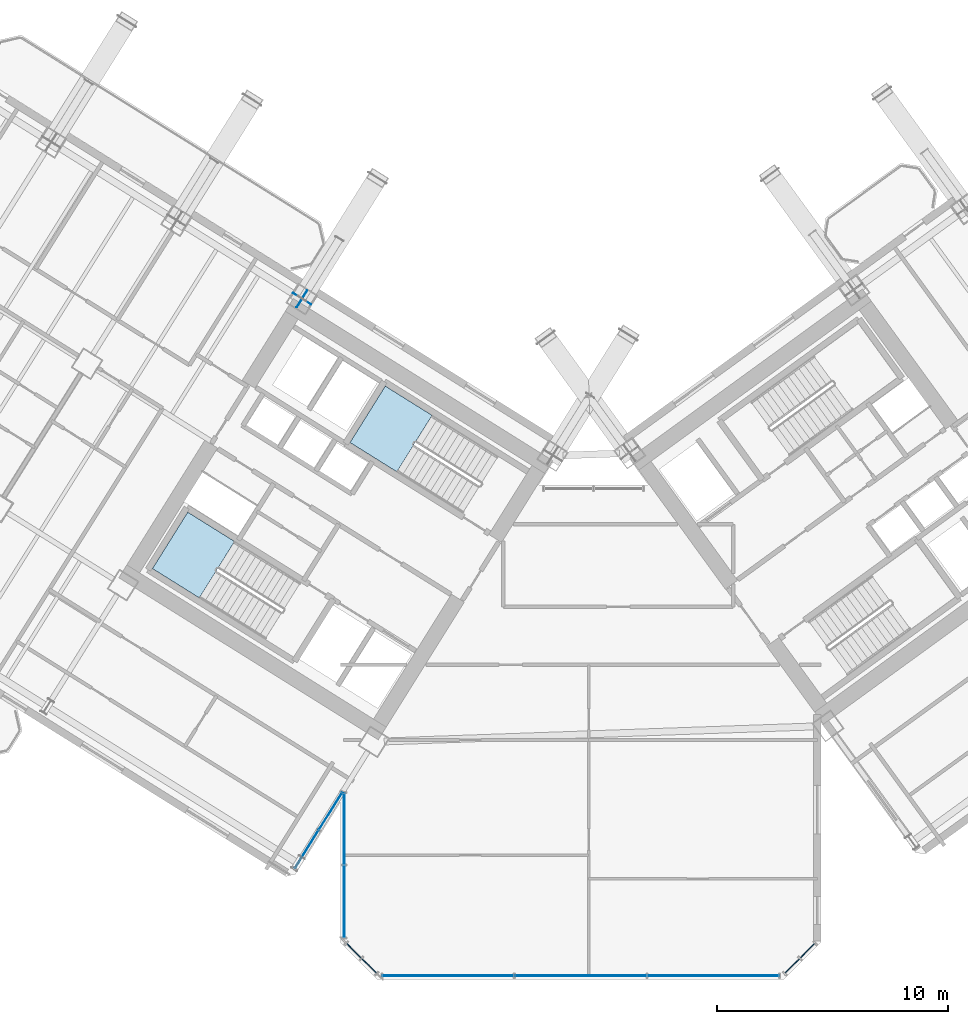
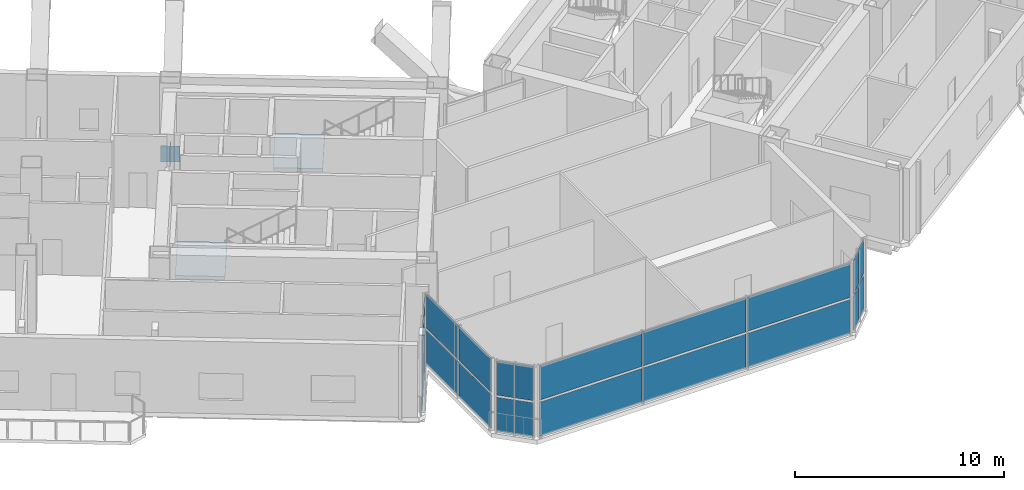
# One storey, part 13 of 30: 24 plates, 2 slabs, 7 elements without a shape of their own.
"""IFC4 building model written with IfcOpenShell, lengths in metres."""

from ifc_helpers import new_model, si_unit, direction, frame, origin, origin_2d, place, context, subcontext, project, spatial, polyline, rectangle, outline, extrude, source, transform, mapped, material, layer, layer_set, type_object, element, aggregate, save


model = new_model("IFC4")

# Units and contexts
model_context = context("Model", 3, precision=1e-05, world=origin(), true_north=direction((0.0, 1.0)))
body_context = subcontext(model_context, "Body", "Model", "MODEL_VIEW")
ifc_project = project(units=[si_unit("LENGTHUNIT", "METRE"), si_unit("AREAUNIT", "SQUARE_METRE"), si_unit("VOLUMEUNIT", "CUBIC_METRE"), si_unit("PLANEANGLEUNIT", "RADIAN"), si_unit("MASSUNIT", "GRAM", prefix="KILO")], contexts=[model_context])

# Site, building, storey
site_placement = place(None, origin())
site = spatial("IfcSite", under=ifc_project, at=site_placement, CompositionType="ELEMENT")
building_placement = place(site_placement, origin())
building = spatial("IfcBuilding", under=site, at=building_placement, Name="Tlacorven Tower", CompositionType="ELEMENT")
storey_placement = place(building_placement, frame((0.0, 0.0, 67.199951171875)))
storey = spatial("IfcBuildingStorey", under=building, at=storey_placement, Name="L17", CompositionType="ELEMENT", Elevation=67.199951171875)

# Stair, slab
ifc_material_1 = material(Name="Concrete C40/50", Category="concrete")
stair_type = type_object("IfcStairType", Name="ST-CORE-DLG", PredefinedType="HALF_TURN_STAIR", material=ifc_material_1)
stair_1_placement = place(storey_placement, origin())
stair_1 = element("IfcStair", 1, at=stair_1_placement, inside=storey, type_object=stair_type, Name="L17 Protected Exit Stair West 1", PredefinedType="HALF_TURN_STAIR")
ifc_layer_1 = layer(ifc_material_1, 0.199951171875)
ifc_layer_set_1 = layer_set([ifc_layer_1], Name="Concrete C40/50")
slab_type = type_object("IfcSlabType", Name="SL-LND-200", PredefinedType="LANDING", material=ifc_layer_set_1)
slab_1_placement = place(storey_placement, frame((0.0, 0.0, 2.050048828125)))
slab_1 = element("IfcSlab", 2, at=slab_1_placement, type_object=slab_type, Name="ST-W1 landing 1", PredefinedType="LANDING", context=body_context, shape_type="SweptSolid", body=[
    extrude(outline(polyline([(27.01611328125, 20.76025390625), (24.9892578125, 22.02685546875), (23.463134765625, 19.58447265625), (25.489990234375, 18.31787109375), (27.01611328125, 20.76025390625)])), origin(), (0.0, 0.0, 1.0), 0.199951171875),
])
aggregate(stair_1, [slab_1])

stair_2_placement = place(storey_placement, origin())
stair_2 = element("IfcStair", 3, at=stair_2_placement, inside=storey, type_object=stair_type, Name="L17 Protected Exit Stair West 2", PredefinedType="HALF_TURN_STAIR")
slab_2_placement = place(storey_placement, frame((0.0, 0.0, 2.050048828125)))
slab_2 = element("IfcSlab", 4, at=slab_2_placement, type_object=slab_type, Name="ST-W2 landing 1", PredefinedType="LANDING", context=body_context, shape_type="SweptSolid", body=[
    extrude(outline(polyline([(35.567626953125, 26.218017578125), (33.540771484375, 27.484375), (32.0146484375, 25.0419921875), (34.04150390625, 23.775634765625), (35.567626953125, 26.218017578125)])), origin(), (0.0, 0.0, 1.0), 0.199951171875),
])
aggregate(stair_2, [slab_2])

# Plates
ifc_material_2 = material(Name="Steel S460M", Category="steel")
ifc_layer_2 = layer(ifc_material_2, 0.02392578125)
ifc_layer_set_2 = layer_set([ifc_layer_2], Name="Steel S460M")
plate_type_1 = type_object("IfcPlateType", Name="PL-CAP-END1", PredefinedType="USERDEFINED", material=ifc_layer_set_2)
shared_shape_1 = source(origin(), body_context, "Body", "SweptSolid", [
    extrude(rectangle(XDim=0.02392578125, YDim=0.929931640625, at=origin_2d()), origin(), (0.0, 0.0, 1.0), 0.929931640625),
])
plate_1_placement = place(storey_placement, frame((29.9365234375, 31.26513671875, -0.453125), z_axis=(0.0, 0.0, 1.0), x_axis=(0.529919406799, 0.848048007072, 0.0)))
element("IfcPlate", 5, at=plate_1_placement, inside=storey, type_object=plate_type_1, Name="L17 hollow end cap plate RAK-L17-W3 1", ObjectType="END PLATE", PredefinedType="USERDEFINED", context=body_context, shape_type="MappedRepresentation", body=[
    mapped(shared_shape_1, transform((0.0, 0.0, 0.0), scale=1.0)),
])
ifc_layer_3 = layer(ifc_material_2, 0.031982421875)
ifc_layer_set_3 = layer_set([ifc_layer_3], Name="Steel S460M")
plate_type_2 = type_object("IfcPlateType", Name="PL-NODE-KN1", PredefinedType="SHEET", material=ifc_layer_set_3)
shared_shape_2 = source(origin(), body_context, "Body", "SweptSolid", [
    extrude(rectangle(XDim=0.85009765625, YDim=0.031982421875, at=origin_2d()), origin(), (0.0, 0.0, 1.0), 0.85009765625),
])
plate_2_placement = place(storey_placement, frame((29.93212890625, 31.25830078125, -0.419189453125), z_axis=(0.0, 0.0, 1.0), x_axis=(0.529919406799, 0.848048007072, 0.0)))
element("IfcPlate", 6, at=plate_2_placement, inside=storey, type_object=plate_type_2, Name="L17 structural node gusset plate RAK-L17-W3", PredefinedType="SHEET", context=body_context, shape_type="MappedRepresentation", body=[
    mapped(shared_shape_2, transform((0.0, 0.0, 0.0), scale=1.0)),
])

# Curtain wall, plates
ifc_material_3 = material(Name="Dark solar low-E double glazing in aluminium frame", Category="aluminium")
curtain_wall_type = type_object("IfcCurtainWallType", Name="CW-TWR-LOW", PredefinedType="USERDEFINED", material=ifc_material_3)
curtain_wall_1_placement = place(storey_placement, origin())
curtain_wall_1 = element("IfcCurtainWall", 7, at=curtain_wall_1_placement, inside=storey, type_object=curtain_wall_type, Name="L17 CW-TWR-LOW Curtain Wall 93", ObjectType="UNITISED CURTAIN WALL", PredefinedType="USERDEFINED")
ifc_material_4 = material(Name="Dark solar double low-E glazing", Category="glass")
ifc_layer_4 = layer(ifc_material_4, 0.031982421875)
ifc_layer_set_4 = layer_set([ifc_layer_4], Name="Dark solar double low-E glazing")
plate_type_3 = type_object("IfcPlateType", Name="CWP-02", PredefinedType="CURTAIN_PANEL", material=ifc_layer_set_4)
shared_shape_3 = source(origin(), body_context, "Body", "SweptSolid", [
    extrude(rectangle(XDim=0.878173828125, YDim=0.031982421875, at=origin_2d()), origin(), (0.0, 0.0, 1.0), 1.988037109375),
])
plate_3_placement = place(storey_placement, frame((51.815673828125, 3.0419921875, 0.06103515625), z_axis=(0.0, 0.0, 1.0), x_axis=(-0.707106781187, -0.707106781187, 0.0)))
plate_3 = element("IfcPlate", 8, at=plate_3_placement, type_object=plate_type_3, Name="CW-L17-093 Glazing Panel 1", PredefinedType="CURTAIN_PANEL", context=body_context, shape_type="MappedRepresentation", body=[
    mapped(shared_shape_3, transform((0.0, 0.0, 0.0), scale=1.0)),
])
plate_4_placement = place(storey_placement, frame((51.815673828125, 3.0419921875, 2.1708984375), z_axis=(0.0, 0.0, 1.0), x_axis=(-0.707106781187, -0.707106781187, 0.0)))
plate_4 = element("IfcPlate", 9, at=plate_4_placement, type_object=plate_type_3, Name="CW-L17-093 Glazing Panel 2", PredefinedType="CURTAIN_PANEL", context=body_context, shape_type="MappedRepresentation", body=[
    mapped(shared_shape_3, transform((0.0, 0.0, 0.0), scale=1.0)),
])
plate_5_placement = place(storey_placement, frame((51.157958984375, 2.38427734375, 0.06103515625), z_axis=(0.0, 0.0, 1.0), x_axis=(-0.707106781187, -0.707106781187, 0.0)))
plate_5 = element("IfcPlate", 10, at=plate_5_placement, type_object=plate_type_3, Name="CW-L17-093 Glazing Panel 3", PredefinedType="CURTAIN_PANEL", context=body_context, shape_type="MappedRepresentation", body=[
    mapped(shared_shape_3, transform((0.0, 0.0, 0.0), scale=1.0)),
])
plate_6_placement = place(storey_placement, frame((51.157958984375, 2.38427734375, 2.1708984375), z_axis=(0.0, 0.0, 1.0), x_axis=(-0.707106781187, -0.707106781187, 0.0)))
plate_6 = element("IfcPlate", 11, at=plate_6_placement, type_object=plate_type_3, Name="CW-L17-093 Glazing Panel 4", PredefinedType="CURTAIN_PANEL", context=body_context, shape_type="MappedRepresentation", body=[
    mapped(shared_shape_3, transform((0.0, 0.0, 0.0), scale=1.0)),
])
aggregate(curtain_wall_1, [plate_3, plate_4, plate_5, plate_6])

curtain_wall_2_placement = place(storey_placement, origin())
curtain_wall_2 = element("IfcCurtainWall", 12, at=curtain_wall_2_placement, inside=storey, type_object=curtain_wall_type, Name="L17 CW-TWR-LOW Curtain Wall 95", ObjectType="UNITISED CURTAIN WALL", PredefinedType="USERDEFINED")
plate_7_placement = place(storey_placement, frame((32.842041015625, 2.38427734375, 0.06103515625), z_axis=(0.0, 0.0, 1.0), x_axis=(-0.707106781187, 0.707106781187, 0.0)))
plate_7 = element("IfcPlate", 13, at=plate_7_placement, type_object=plate_type_3, Name="CW-L17-095 Glazing Panel 1", PredefinedType="CURTAIN_PANEL", context=body_context, shape_type="MappedRepresentation", body=[
    mapped(shared_shape_3, transform((0.0, 0.0, 0.0), scale=1.0)),
])
plate_8_placement = place(storey_placement, frame((32.842041015625, 2.38427734375, 2.1708984375), z_axis=(0.0, 0.0, 1.0), x_axis=(-0.707106781187, 0.707106781187, 0.0)))
plate_8 = element("IfcPlate", 14, at=plate_8_placement, type_object=plate_type_3, Name="CW-L17-095 Glazing Panel 2", PredefinedType="CURTAIN_PANEL", context=body_context, shape_type="MappedRepresentation", body=[
    mapped(shared_shape_3, transform((0.0, 0.0, 0.0), scale=1.0)),
])
plate_9_placement = place(storey_placement, frame((32.184326171875, 3.0419921875, 0.06103515625), z_axis=(0.0, 0.0, 1.0), x_axis=(-0.707106781187, 0.707106781187, 0.0)))
plate_9 = element("IfcPlate", 15, at=plate_9_placement, type_object=plate_type_3, Name="CW-L17-095 Glazing Panel 3", PredefinedType="CURTAIN_PANEL", context=body_context, shape_type="MappedRepresentation", body=[
    mapped(shared_shape_3, transform((0.0, 0.0, 0.0), scale=1.0)),
])
plate_10_placement = place(storey_placement, frame((32.184326171875, 3.0419921875, 2.1708984375), z_axis=(0.0, 0.0, 1.0), x_axis=(-0.707106781187, 0.707106781187, 0.0)))
plate_10 = element("IfcPlate", 16, at=plate_10_placement, type_object=plate_type_3, Name="CW-L17-095 Glazing Panel 4", PredefinedType="CURTAIN_PANEL", context=body_context, shape_type="MappedRepresentation", body=[
    mapped(shared_shape_3, transform((0.0, 0.0, 0.0), scale=1.0)),
])
aggregate(curtain_wall_2, [plate_7, plate_8, plate_9, plate_10])

curtain_wall_3_placement = place(storey_placement, origin())
curtain_wall_3 = element("IfcCurtainWall", 17, at=curtain_wall_3_placement, inside=storey, type_object=curtain_wall_type, Name="L17 CW-TWR-LOW Curtain Wall 94", ObjectType="UNITISED CURTAIN WALL", PredefinedType="USERDEFINED")
shared_shape_4 = source(origin(), body_context, "Body", "SweptSolid", [
    extrude(rectangle(XDim=5.668701171875, YDim=0.031982421875, at=origin_2d()), origin(), (0.0, 0.0, 1.0), 1.988037109375),
])
plate_11_placement = place(storey_placement, frame((47.73828125, 1.9599609375, 0.06103515625), z_axis=(0.0, 0.0, 1.0), x_axis=(-1.0, 0.0, 0.0)))
plate_11 = element("IfcPlate", 18, at=plate_11_placement, type_object=plate_type_3, Name="CW-L17-094 Glazing Panel 1", PredefinedType="CURTAIN_PANEL", context=body_context, shape_type="MappedRepresentation", body=[
    mapped(shared_shape_4, transform((0.0, 0.0, 0.0), scale=1.0)),
])
plate_12_placement = place(storey_placement, frame((47.73828125, 1.9599609375, 2.1708984375), z_axis=(0.0, 0.0, 1.0), x_axis=(-1.0, 0.0, 0.0)))
plate_12 = element("IfcPlate", 19, at=plate_12_placement, type_object=plate_type_3, Name="CW-L17-094 Glazing Panel 2", PredefinedType="CURTAIN_PANEL", context=body_context, shape_type="MappedRepresentation", body=[
    mapped(shared_shape_4, transform((0.0, 0.0, 0.0), scale=1.0)),
])
plate_13_placement = place(storey_placement, frame((36.26171875, 1.9599609375, 0.06103515625), z_axis=(0.0, 0.0, 1.0), x_axis=(-1.0, 0.0, 0.0)))
plate_13 = element("IfcPlate", 20, at=plate_13_placement, type_object=plate_type_3, Name="CW-L17-094 Glazing Panel 5", PredefinedType="CURTAIN_PANEL", context=body_context, shape_type="MappedRepresentation", body=[
    mapped(shared_shape_4, transform((0.0, 0.0, 0.0), scale=1.0)),
])
plate_14_placement = place(storey_placement, frame((36.26171875, 1.9599609375, 2.1708984375), z_axis=(0.0, 0.0, 1.0), x_axis=(-1.0, 0.0, 0.0)))
plate_14 = element("IfcPlate", 21, at=plate_14_placement, type_object=plate_type_3, Name="CW-L17-094 Glazing Panel 6", PredefinedType="CURTAIN_PANEL", context=body_context, shape_type="MappedRepresentation", body=[
    mapped(shared_shape_4, transform((0.0, 0.0, 0.0), scale=1.0)),
])
shared_shape_5 = source(origin(), body_context, "Body", "SweptSolid", [
    extrude(rectangle(XDim=5.703857421875, YDim=0.031982421875, at=origin_2d()), origin(), (0.0, 0.0, 1.0), 1.988037109375),
])
plate_15_placement = place(storey_placement, frame((42.0, 1.9599609375, 0.06103515625), z_axis=(0.0, 0.0, 1.0), x_axis=(-1.0, 0.0, 0.0)))
plate_15 = element("IfcPlate", 22, at=plate_15_placement, type_object=plate_type_3, Name="CW-L17-094 Glazing Panel 3", PredefinedType="CURTAIN_PANEL", context=body_context, shape_type="MappedRepresentation", body=[
    mapped(shared_shape_5, transform((0.0, 0.0, 0.0), scale=1.0)),
])
plate_16_placement = place(storey_placement, frame((42.0, 1.9599609375, 2.1708984375), z_axis=(0.0, 0.0, 1.0), x_axis=(-1.0, 0.0, 0.0)))
plate_16 = element("IfcPlate", 23, at=plate_16_placement, type_object=plate_type_3, Name="CW-L17-094 Glazing Panel 4", PredefinedType="CURTAIN_PANEL", context=body_context, shape_type="MappedRepresentation", body=[
    mapped(shared_shape_5, transform((0.0, 0.0, 0.0), scale=1.0)),
])
aggregate(curtain_wall_3, [plate_11, plate_12, plate_15, plate_16, plate_13, plate_14])

curtain_wall_4_placement = place(storey_placement, origin())
curtain_wall_4 = element("IfcCurtainWall", 24, at=curtain_wall_4_placement, inside=storey, type_object=curtain_wall_type, Name="L17 CW-TWR-LOW Curtain Wall 96", ObjectType="UNITISED CURTAIN WALL", PredefinedType="USERDEFINED")
shared_shape_6 = source(origin(), body_context, "Body", "SweptSolid", [
    extrude(rectangle(XDim=3.09423828125, YDim=0.031982421875, at=origin_2d()), origin(), (0.0, 0.0, 1.0), 1.988037109375),
])
plate_17_placement = place(storey_placement, frame((31.760009765625, 5.17431640625, 0.06103515625), z_axis=(0.0, 0.0, 1.0), x_axis=(0.0, 1.0, 0.0)))
plate_17 = element("IfcPlate", 25, at=plate_17_placement, type_object=plate_type_3, Name="CW-L17-096 Glazing Panel 1", PredefinedType="CURTAIN_PANEL", context=body_context, shape_type="MappedRepresentation", body=[
    mapped(shared_shape_6, transform((0.0, 0.0, 0.0), scale=1.0)),
])
plate_18_placement = place(storey_placement, frame((31.760009765625, 5.17431640625, 2.1708984375), z_axis=(0.0, 0.0, 1.0), x_axis=(0.0, 1.0, 0.0)))
plate_18 = element("IfcPlate", 26, at=plate_18_placement, type_object=plate_type_3, Name="CW-L17-096 Glazing Panel 2", PredefinedType="CURTAIN_PANEL", context=body_context, shape_type="MappedRepresentation", body=[
    mapped(shared_shape_6, transform((0.0, 0.0, 0.0), scale=1.0)),
])
plate_19_placement = place(storey_placement, frame((31.760009765625, 8.320556640625, 0.06103515625), z_axis=(0.0, 0.0, 1.0), x_axis=(0.0, 1.0, 0.0)))
plate_19 = element("IfcPlate", 27, at=plate_19_placement, type_object=plate_type_3, Name="CW-L17-096 Glazing Panel 3", PredefinedType="CURTAIN_PANEL", context=body_context, shape_type="MappedRepresentation", body=[
    mapped(shared_shape_6, transform((0.0, 0.0, 0.0), scale=1.0)),
])
plate_20_placement = place(storey_placement, frame((31.760009765625, 8.320556640625, 2.1708984375), z_axis=(0.0, 0.0, 1.0), x_axis=(0.0, 1.0, 0.0)))
plate_20 = element("IfcPlate", 28, at=plate_20_placement, type_object=plate_type_3, Name="CW-L17-096 Glazing Panel 4", PredefinedType="CURTAIN_PANEL", context=body_context, shape_type="MappedRepresentation", body=[
    mapped(shared_shape_6, transform((0.0, 0.0, 0.0), scale=1.0)),
])
aggregate(curtain_wall_4, [plate_17, plate_18, plate_19, plate_20])

curtain_wall_5_placement = place(storey_placement, origin())
curtain_wall_5 = element("IfcCurtainWall", 29, at=curtain_wall_5_placement, inside=storey, type_object=curtain_wall_type, Name="L17 CW-TWR-LOW Curtain Wall 97", ObjectType="UNITISED CURTAIN WALL", PredefinedType="USERDEFINED")
shared_shape_7 = source(origin(), body_context, "Body", "SweptSolid", [
    extrude(rectangle(XDim=1.896240234375, YDim=0.031982421875, at=origin_2d()), origin(), (0.0, 0.0, 1.0), 1.988037109375),
])
plate_21_placement = place(storey_placement, frame((31.172119140625, 9.087890625, 0.06103515625), z_axis=(0.0, 0.0, 1.0), x_axis=(-0.529918710919, -0.848048441905, 0.0)))
plate_21 = element("IfcPlate", 30, at=plate_21_placement, type_object=plate_type_3, Name="CW-L17-097 Glazing Panel 1", PredefinedType="CURTAIN_PANEL", context=body_context, shape_type="MappedRepresentation", body=[
    mapped(shared_shape_7, transform((0.0, 0.0, 0.0), scale=1.0)),
])
plate_22_placement = place(storey_placement, frame((31.172119140625, 9.087890625, 2.1708984375), z_axis=(0.0, 0.0, 1.0), x_axis=(-0.529918710919, -0.848048441905, 0.0)))
plate_22 = element("IfcPlate", 31, at=plate_22_placement, type_object=plate_type_3, Name="CW-L17-097 Glazing Panel 2", PredefinedType="CURTAIN_PANEL", context=body_context, shape_type="MappedRepresentation", body=[
    mapped(shared_shape_7, transform((0.0, 0.0, 0.0), scale=1.0)),
])
plate_23_placement = place(storey_placement, frame((30.1396484375, 7.435791015625, 0.06103515625), z_axis=(0.0, 0.0, 1.0), x_axis=(-0.529918710919, -0.848048441905, 0.0)))
plate_23 = element("IfcPlate", 32, at=plate_23_placement, type_object=plate_type_3, Name="CW-L17-097 Glazing Panel 3", PredefinedType="CURTAIN_PANEL", context=body_context, shape_type="MappedRepresentation", body=[
    mapped(shared_shape_7, transform((0.0, 0.0, 0.0), scale=1.0)),
])
plate_24_placement = place(storey_placement, frame((30.1396484375, 7.435791015625, 2.1708984375), z_axis=(0.0, 0.0, 1.0), x_axis=(-0.529918710919, -0.848048441905, 0.0)))
plate_24 = element("IfcPlate", 33, at=plate_24_placement, type_object=plate_type_3, Name="CW-L17-097 Glazing Panel 4", PredefinedType="CURTAIN_PANEL", context=body_context, shape_type="MappedRepresentation", body=[
    mapped(shared_shape_7, transform((0.0, 0.0, 0.0), scale=1.0)),
])
aggregate(curtain_wall_5, [plate_21, plate_22, plate_23, plate_24])

save(model, "model.ifc")
